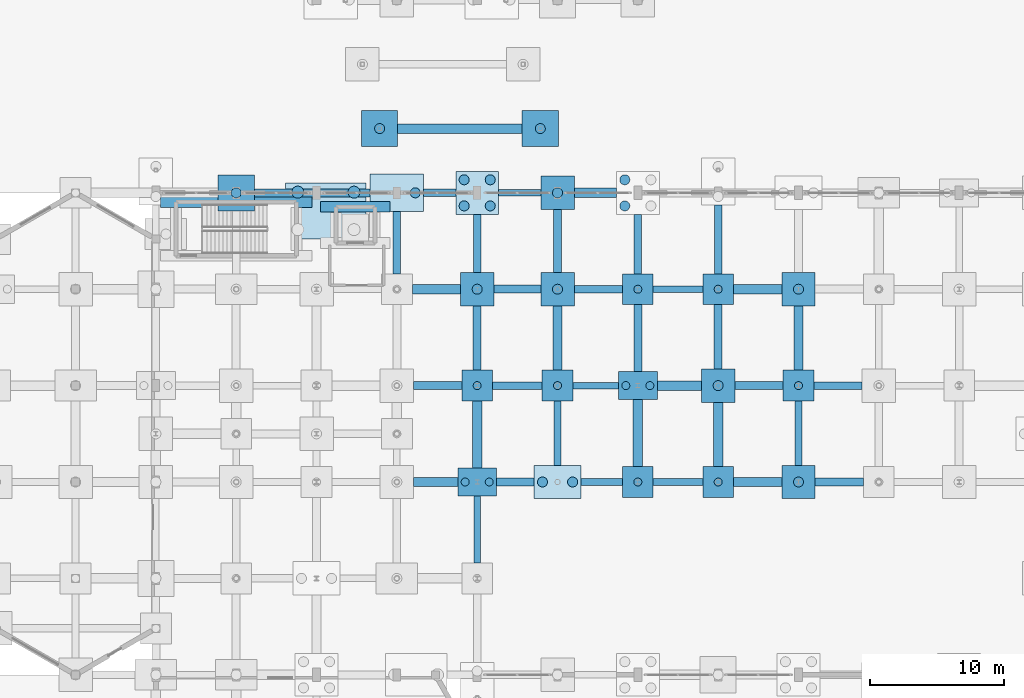
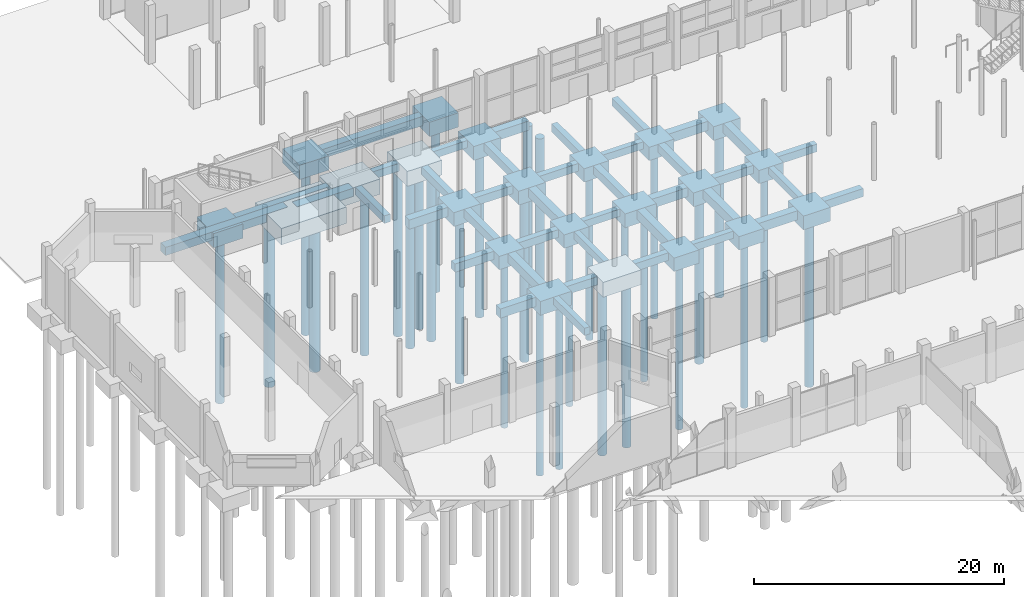
# One storey, part 5 of 103: 62 footings, 31 piles.
"""IFC4 building model written with IfcOpenShell, lengths in metres."""

from ifc_helpers import new_model, si_unit, direction, frame, origin, origin_2d, place, context, subcontext, project, spatial, rectangle, circle, extrude, material, material_profile, profile_set, type_object, element, save


model = new_model("IFC4")

# Units and contexts
model_context = context("Model", 3, precision=1e-05, world=origin(), true_north=direction((0.0, 1.0)))
body_context = subcontext(model_context, "Body", "Model", "MODEL_VIEW")
ifc_project = project(units=[si_unit("LENGTHUNIT", "METRE"), si_unit("AREAUNIT", "SQUARE_METRE"), si_unit("VOLUMEUNIT", "CUBIC_METRE"), si_unit("PLANEANGLEUNIT", "RADIAN"), si_unit("MASSUNIT", "GRAM", prefix="KILO")], contexts=[model_context])

# Site, building, storey
site_placement = place(None, origin())
site = spatial("IfcSite", under=ifc_project, at=site_placement, CompositionType="ELEMENT")
building_placement = place(site_placement, origin())
building = spatial("IfcBuilding", under=site, at=building_placement, Name="Dunvalen Ferry Terminal", CompositionType="ELEMENT")
storey_placement = place(building_placement, origin())
storey = spatial("IfcBuildingStorey", under=building, at=storey_placement, Name="L00", CompositionType="ELEMENT", Elevation=0.0)

# Footings
ifc_material = material(Name="Concrete C40/50", Category="concrete")
ifc_material_profile_1 = material_profile(ifc_material, rectangle(XDim=0.5, YDim=0.699951171875, at=origin_2d()), Name="Concrete C40/50")
ifc_profile_set_1 = profile_set([ifc_material_profile_1], Name="Concrete C40/50")
footing_type_1 = type_object("IfcFootingType", Name="STR-GB-500x700", PredefinedType="FOOTING_BEAM", material=ifc_profile_set_1)
footing_1_placement = place(storey_placement, frame((49.14990234375, 64.800048828125, -0.669921875), z_axis=(1.0, 0.0, 0.0), x_axis=(0.0, 1.0, 0.0)))
element("IfcFooting", 1, at=footing_1_placement, inside=storey, type_object=footing_type_1, Name="L00 Ground Beam X-235", PredefinedType="FOOTING_BEAM", context=body_context, shape_type="SweptSolid", body=[
    extrude(rectangle(XDim=0.5, YDim=0.699951171875, at=origin_2d()), origin(), (0.0, 0.0, 1.0), 3.7001953125),
])
footing_2_placement = place(storey_placement, frame((43.14990234375, 72.0, -0.669921875), z_axis=(1.0, 0.0, 0.0), x_axis=(0.0, 1.0, 0.0)))
element("IfcFooting", 2, at=footing_2_placement, inside=storey, type_object=footing_type_1, Name="L00 Ground Beam X-267", PredefinedType="FOOTING_BEAM", context=body_context, shape_type="SweptSolid", body=[
    extrude(rectangle(XDim=0.5, YDim=0.699951171875, at=origin_2d()), origin(), (0.0, 0.0, 1.0), 3.400146484375),
])
footing_3_placement = place(storey_placement, frame((49.14990234375, 79.199951171875, -0.669921875), z_axis=(1.0, 0.0, 0.0), x_axis=(0.0, 1.0, 0.0)))
element("IfcFooting", 3, at=footing_3_placement, inside=storey, type_object=footing_type_1, Name="L00 Ground Beam X-295", PredefinedType="FOOTING_BEAM", context=body_context, shape_type="SweptSolid", body=[
    extrude(rectangle(XDim=0.5, YDim=0.699951171875, at=origin_2d()), origin(), (0.0, 0.0, 1.0), 3.7001953125),
])
footing_4_placement = place(storey_placement, frame((37.60009765625, 86.39990234375, -0.669921875), z_axis=(1.0, 0.0, 0.0), x_axis=(0.0, 1.0, 0.0)))
element("IfcFooting", 4, at=footing_4_placement, inside=storey, type_object=footing_type_1, Name="L00 Ground Beam X-315", PredefinedType="FOOTING_BEAM", context=body_context, shape_type="SweptSolid", body=[
    extrude(rectangle(XDim=0.5, YDim=0.699951171875, at=origin_2d()), origin(), (0.0, 0.0, 1.0), 3.14990234375),
])
footing_5_placement = place(storey_placement, frame((36.0, 58.75, -0.669921875), z_axis=(0.0, 1.0, 0.0), x_axis=(-1.0, 0.0, 0.0)))
element("IfcFooting", 5, at=footing_5_placement, inside=storey, type_object=footing_type_1, Name="L00 Ground Beam Y-399", PredefinedType="FOOTING_BEAM", context=body_context, shape_type="SweptSolid", body=[
    extrude(rectangle(XDim=0.5, YDim=0.699951171875, at=origin_2d()), origin(), (0.0, 0.0, 1.0), 5.0),
])
for number, where, z_axis, x_axis, name in (
    (6, (42.0, 66.050048828125, -0.669921875), (0.0, 1.0, 0.0), (-1.0, 0.0, 0.0), "L00 Ground Beam Y-403"),
    (7, (60.0, 66.050048828125, -0.669921875), (0.0, 1.0, 0.0), (-1.0, 0.0, 0.0), "L00 Ground Beam Y-415"),
):
    element("IfcFooting", number, at=place(storey_placement, frame(where, z_axis=z_axis, x_axis=x_axis)), inside=storey, type_object=footing_type_1, Name=name, PredefinedType="FOOTING_BEAM", context=body_context, shape_type="SweptSolid", body=[
        extrude(rectangle(XDim=0.5, YDim=0.699951171875, at=origin_2d()), origin(), (0.0, 0.0, 1.0), 4.800048828125),
    ])
ifc_material_profile_2 = material_profile(ifc_material, rectangle(XDim=0.550048828125, YDim=0.75, at=origin_2d()), Name="Concrete C40/50")
ifc_profile_set_2 = profile_set([ifc_material_profile_2], Name="Concrete C40/50")
footing_type_2 = type_object("IfcFootingType", Name="STR-GB-550x750", PredefinedType="FOOTING_BEAM", material=ifc_profile_set_2)
footing_6_placement = place(storey_placement, frame((43.75, 64.800048828125, -0.695068359375), z_axis=(1.0, 0.0, 0.0), x_axis=(0.0, 1.0, 0.0)))
element("IfcFooting", 8, at=footing_6_placement, inside=storey, type_object=footing_type_2, Name="L00 Ground Beam X-234", PredefinedType="FOOTING_BEAM", context=body_context, shape_type="SweptSolid", body=[
    extrude(rectangle(XDim=0.550048828125, YDim=0.75, at=origin_2d()), origin(), (0.0, 0.0, 1.0), 3.10009765625),
])
footing_7_placement = place(storey_placement, frame((37.14990234375, 72.0, -0.695068359375), z_axis=(1.0, 0.0, 0.0), x_axis=(0.0, 1.0, 0.0)))
element("IfcFooting", 9, at=footing_7_placement, inside=storey, type_object=footing_type_2, Name="L00 Ground Beam X-266", PredefinedType="FOOTING_BEAM", context=body_context, shape_type="SweptSolid", body=[
    extrude(rectangle(XDim=0.550048828125, YDim=0.75, at=origin_2d()), origin(), (0.0, 0.0, 1.0), 3.7001953125),
])
for number, where, z_axis, x_axis, name in (
    (10, (61.14990234375, 72.0, -0.695068359375), (1.0, 0.0, 0.0), (0.0, 1.0, 0.0), "L00 Ground Beam X-270"),
    (11, (43.25, 79.199951171875, -0.695068359375), (1.0, 0.0, 0.0), (0.0, 1.0, 0.0), "L00 Ground Beam X-294"),
):
    element("IfcFooting", number, at=place(storey_placement, frame(where, z_axis=z_axis, x_axis=x_axis)), inside=storey, type_object=footing_type_2, Name=name, PredefinedType="FOOTING_BEAM", context=body_context, shape_type="SweptSolid", body=[
        extrude(rectangle(XDim=0.550048828125, YDim=0.75, at=origin_2d()), origin(), (0.0, 0.0, 1.0), 3.60009765625),
    ])
footing_8_placement = place(storey_placement, frame((32.0, 86.39990234375, -0.695068359375), z_axis=(1.0, 0.0, 0.0), x_axis=(0.0, 1.0, 0.0)))
element("IfcFooting", 12, at=footing_8_placement, inside=storey, type_object=footing_type_2, Name="L00 Ground Beam X-314", PredefinedType="FOOTING_BEAM", context=body_context, shape_type="SweptSolid", body=[
    extrude(rectangle(XDim=0.550048828125, YDim=0.75, at=origin_2d()), origin(), (0.0, 0.0, 1.0), 2.39990234375),
])
footing_9_placement = place(storey_placement, frame((30.0, 80.35009765625, -0.695068359375), z_axis=(0.0, 1.0, 0.0), x_axis=(-1.0, 0.0, 0.0)))
element("IfcFooting", 13, at=footing_9_placement, inside=storey, type_object=footing_type_2, Name="L00 Ground Beam Y-394", PredefinedType="FOOTING_BEAM", context=body_context, shape_type="SweptSolid", body=[
    extrude(rectangle(XDim=0.550048828125, YDim=0.75, at=origin_2d()), origin(), (0.0, 0.0, 1.0), 4.64990234375),
])
footing_10_placement = place(storey_placement, frame((36.0, 80.449951171875, -0.695068359375), z_axis=(0.0, 1.0, 0.0), x_axis=(-1.0, 0.0, 0.0)))
element("IfcFooting", 14, at=footing_10_placement, inside=storey, type_object=footing_type_2, Name="L00 Ground Beam Y-402", PredefinedType="FOOTING_BEAM", context=body_context, shape_type="SweptSolid", body=[
    extrude(rectangle(XDim=0.550048828125, YDim=0.75, at=origin_2d()), origin(), (0.0, 0.0, 1.0), 4.35009765625),
])
footing_11_placement = place(storey_placement, frame((48.0, 80.35009765625, -0.695068359375), z_axis=(0.0, 1.0, 0.0), x_axis=(-1.0, 0.0, 0.0)))
element("IfcFooting", 15, at=footing_11_placement, inside=storey, type_object=footing_type_2, Name="L00 Ground Beam Y-410", PredefinedType="FOOTING_BEAM", context=body_context, shape_type="SweptSolid", body=[
    extrude(rectangle(XDim=0.550048828125, YDim=0.75, at=origin_2d()), origin(), (0.0, 0.0, 1.0), 4.449951171875),
])
footing_12_placement = place(storey_placement, frame((54.0, 80.35009765625, -0.695068359375), z_axis=(0.0, 1.0, 0.0), x_axis=(-1.0, 0.0, 0.0)))
element("IfcFooting", 16, at=footing_12_placement, inside=storey, type_object=footing_type_2, Name="L00 Ground Beam Y-414", PredefinedType="FOOTING_BEAM", context=body_context, shape_type="SweptSolid", body=[
    extrude(rectangle(XDim=0.550048828125, YDim=0.75, at=origin_2d()), origin(), (0.0, 0.0, 1.0), 5.14990234375),
])
ifc_material_profile_3 = material_profile(ifc_material, rectangle(XDim=0.60009765625, YDim=0.800048828125, at=origin_2d()), Name="Concrete C40/50")
ifc_profile_set_3 = profile_set([ifc_material_profile_3], Name="Concrete C40/50")
footing_type_3 = type_object("IfcFootingType", Name="STR-GB-600x800", PredefinedType="FOOTING_BEAM", material=ifc_profile_set_3)
footing_13_placement = place(storey_placement, frame((37.449951171875, 64.800048828125, -0.719970703125), z_axis=(1.0, 0.0, 0.0), x_axis=(0.0, 1.0, 0.0)))
element("IfcFooting", 17, at=footing_13_placement, inside=storey, type_object=footing_type_3, Name="L00 Ground Beam X-233", PredefinedType="FOOTING_BEAM", context=body_context, shape_type="SweptSolid", body=[
    extrude(rectangle(XDim=0.60009765625, YDim=0.800048828125, at=origin_2d()), origin(), (0.0, 0.0, 1.0), 2.800048828125),
])
for number, where, z_axis, x_axis, name in (
    (18, (61.25, 64.800048828125, -0.719970703125), (1.0, 0.0, 0.0), (0.0, 1.0, 0.0), "L00 Ground Beam X-237"),
    (19, (31.25, 72.0, -0.719970703125), (1.0, 0.0, 0.0), (0.0, 1.0, 0.0), "L00 Ground Beam X-265"),
    (20, (55.25, 72.0, -0.719970703125), (1.0, 0.0, 0.0), (0.0, 1.0, 0.0), "L00 Ground Beam X-269"),
):
    element("IfcFooting", number, at=place(storey_placement, frame(where, z_axis=z_axis, x_axis=x_axis)), inside=storey, type_object=footing_type_3, Name=name, PredefinedType="FOOTING_BEAM", context=body_context, shape_type="SweptSolid", body=[
        extrude(rectangle(XDim=0.60009765625, YDim=0.800048828125, at=origin_2d()), origin(), (0.0, 0.0, 1.0), 3.60009765625),
    ])
footing_14_placement = place(storey_placement, frame((37.25, 79.199951171875, -0.719970703125), z_axis=(1.0, 0.0, 0.0), x_axis=(0.0, 1.0, 0.0)))
element("IfcFooting", 21, at=footing_14_placement, inside=storey, type_object=footing_type_3, Name="L00 Ground Beam X-293", PredefinedType="FOOTING_BEAM", context=body_context, shape_type="SweptSolid", body=[
    extrude(rectangle(XDim=0.60009765625, YDim=0.800048828125, at=origin_2d()), origin(), (0.0, 0.0, 1.0), 3.5),
])
footing_15_placement = place(storey_placement, frame((19.35009765625, 86.39990234375, -0.719970703125), z_axis=(1.0, 0.0, 0.0), x_axis=(0.0, 1.0, 0.0)))
element("IfcFooting", 22, at=footing_15_placement, inside=storey, type_object=footing_type_3, Name="L00 Ground Beam X-313", PredefinedType="FOOTING_BEAM", context=body_context, shape_type="SweptSolid", body=[
    extrude(rectangle(XDim=0.60009765625, YDim=0.800048828125, at=origin_2d()), origin(), (0.0, 0.0, 1.0), 8.64990234375),
])
footing_16_placement = place(storey_placement, frame((36.0, 73.14990234375, -0.719970703125), z_axis=(0.0, 1.0, 0.0), x_axis=(-1.0, 0.0, 0.0)))
element("IfcFooting", 23, at=footing_16_placement, inside=storey, type_object=footing_type_3, Name="L00 Ground Beam Y-401", PredefinedType="FOOTING_BEAM", context=body_context, shape_type="SweptSolid", body=[
    extrude(rectangle(XDim=0.60009765625, YDim=0.800048828125, at=origin_2d()), origin(), (0.0, 0.0, 1.0), 4.800048828125),
])
footing_17_placement = place(storey_placement, frame((42.0, 80.449951171875, -0.719970703125), z_axis=(0.0, 1.0, 0.0), x_axis=(-1.0, 0.0, 0.0)))
element("IfcFooting", 24, at=footing_17_placement, inside=storey, type_object=footing_type_3, Name="L00 Ground Beam Y-405", PredefinedType="FOOTING_BEAM", context=body_context, shape_type="SweptSolid", body=[
    extrude(rectangle(XDim=0.60009765625, YDim=0.800048828125, at=origin_2d()), origin(), (0.0, 0.0, 1.0), 4.699951171875),
])
footing_18_placement = place(storey_placement, frame((48.0, 73.050048828125, -0.719970703125), z_axis=(0.0, 1.0, 0.0), x_axis=(-1.0, 0.0, 0.0)))
element("IfcFooting", 25, at=footing_18_placement, inside=storey, type_object=footing_type_3, Name="L00 Ground Beam Y-409", PredefinedType="FOOTING_BEAM", context=body_context, shape_type="SweptSolid", body=[
    extrude(rectangle(XDim=0.60009765625, YDim=0.800048828125, at=origin_2d()), origin(), (0.0, 0.0, 1.0), 5.0),
])
footing_19_placement = place(storey_placement, frame((54.0, 73.25, -0.719970703125), z_axis=(0.0, 1.0, 0.0), x_axis=(-1.0, 0.0, 0.0)))
element("IfcFooting", 26, at=footing_19_placement, inside=storey, type_object=footing_type_3, Name="L00 Ground Beam Y-413", PredefinedType="FOOTING_BEAM", context=body_context, shape_type="SweptSolid", body=[
    extrude(rectangle(XDim=0.60009765625, YDim=0.800048828125, at=origin_2d()), origin(), (0.0, 0.0, 1.0), 4.800048828125),
])
ifc_material_profile_4 = material_profile(ifc_material, rectangle(XDim=0.699951171875, YDim=0.89990234375, at=origin_2d()), Name="Concrete C40/50")
ifc_profile_set_4 = profile_set([ifc_material_profile_4], Name="Concrete C40/50")
footing_type_4 = type_object("IfcFootingType", Name="STR-GB-700x900", PredefinedType="FOOTING_BEAM", material=ifc_profile_set_4)
footing_20_placement = place(storey_placement, frame((31.25, 64.800048828125, -0.77001953125), z_axis=(1.0, 0.0, 0.0), x_axis=(0.0, 1.0, 0.0)))
element("IfcFooting", 27, at=footing_20_placement, inside=storey, type_object=footing_type_4, Name="L00 Ground Beam X-232", PredefinedType="FOOTING_BEAM", context=body_context, shape_type="SweptSolid", body=[
    extrude(rectangle(XDim=0.699951171875, YDim=0.89990234375, at=origin_2d()), origin(), (0.0, 0.0, 1.0), 3.300048828125),
])
footing_21_placement = place(storey_placement, frame((55.14990234375, 64.800048828125, -0.77001953125), z_axis=(1.0, 0.0, 0.0), x_axis=(0.0, 1.0, 0.0)))
element("IfcFooting", 28, at=footing_21_placement, inside=storey, type_object=footing_type_4, Name="L00 Ground Beam X-236", PredefinedType="FOOTING_BEAM", context=body_context, shape_type="SweptSolid", body=[
    extrude(rectangle(XDim=0.699951171875, YDim=0.89990234375, at=origin_2d()), origin(), (0.0, 0.0, 1.0), 3.60009765625),
])
footing_22_placement = place(storey_placement, frame((49.449951171875, 72.0, -0.77001953125), z_axis=(1.0, 0.0, 0.0), x_axis=(0.0, 1.0, 0.0)))
element("IfcFooting", 29, at=footing_22_placement, inside=storey, type_object=footing_type_4, Name="L00 Ground Beam X-268", PredefinedType="FOOTING_BEAM", context=body_context, shape_type="SweptSolid", body=[
    extrude(rectangle(XDim=0.699951171875, YDim=0.89990234375, at=origin_2d()), origin(), (0.0, 0.0, 1.0), 3.300048828125),
])
for number, where, z_axis, x_axis, name in (
    (30, (31.14990234375, 79.199951171875, -0.77001953125), (1.0, 0.0, 0.0), (0.0, 1.0, 0.0), "L00 Ground Beam X-292"),
    (31, (55.14990234375, 79.199951171875, -0.77001953125), (1.0, 0.0, 0.0), (0.0, 1.0, 0.0), "L00 Ground Beam X-296"),
):
    element("IfcFooting", number, at=place(storey_placement, frame(where, z_axis=z_axis, x_axis=x_axis)), inside=storey, type_object=footing_type_4, Name=name, PredefinedType="FOOTING_BEAM", context=body_context, shape_type="SweptSolid", body=[
        extrude(rectangle(XDim=0.699951171875, YDim=0.89990234375, at=origin_2d()), origin(), (0.0, 0.0, 1.0), 3.60009765625),
    ])
footing_23_placement = place(storey_placement, frame((43.25, 86.39990234375, -0.77001953125), z_axis=(1.0, 0.0, 0.0), x_axis=(0.0, 1.0, 0.0)))
element("IfcFooting", 32, at=footing_23_placement, inside=storey, type_object=footing_type_4, Name="L00 Ground Beam X-316", PredefinedType="FOOTING_BEAM", context=body_context, shape_type="SweptSolid", body=[
    extrude(rectangle(XDim=0.699951171875, YDim=0.89990234375, at=origin_2d()), origin(), (0.0, 0.0, 1.0), 3.14990234375),
])
footing_24_placement = place(storey_placement, frame((30.063720703125, 91.199951171875, -0.77001953125), z_axis=(1.0, 0.0, 0.0), x_axis=(0.0, 1.0, 0.0)))
element("IfcFooting", 33, at=footing_24_placement, inside=storey, type_object=footing_type_4, Name="L00 Ground Beam X-332", PredefinedType="FOOTING_BEAM", context=body_context, shape_type="SweptSolid", body=[
    extrude(rectangle(XDim=0.699951171875, YDim=0.89990234375, at=origin_2d()), origin(), (0.0, 0.0, 1.0), 9.300048828125),
])
footing_25_placement = place(storey_placement, frame((36.0, 65.85009765625, -0.77001953125), z_axis=(0.0, 1.0, 0.0), x_axis=(-1.0, 0.0, 0.0)))
element("IfcFooting", 34, at=footing_25_placement, inside=storey, type_object=footing_type_4, Name="L00 Ground Beam Y-400", PredefinedType="FOOTING_BEAM", context=body_context, shape_type="SweptSolid", body=[
    extrude(rectangle(XDim=0.699951171875, YDim=0.89990234375, at=origin_2d()), origin(), (0.0, 0.0, 1.0), 5.0),
])
footing_26_placement = place(storey_placement, frame((42.0, 73.14990234375, -0.77001953125), z_axis=(0.0, 1.0, 0.0), x_axis=(-1.0, 0.0, 0.0)))
element("IfcFooting", 35, at=footing_26_placement, inside=storey, type_object=footing_type_4, Name="L00 Ground Beam Y-404", PredefinedType="FOOTING_BEAM", context=body_context, shape_type="SweptSolid", body=[
    extrude(rectangle(XDim=0.699951171875, YDim=0.89990234375, at=origin_2d()), origin(), (0.0, 0.0, 1.0), 4.800048828125),
])
footing_27_placement = place(storey_placement, frame((48.0, 65.949951171875, -0.77001953125), z_axis=(0.0, 1.0, 0.0), x_axis=(-1.0, 0.0, 0.0)))
element("IfcFooting", 36, at=footing_27_placement, inside=storey, type_object=footing_type_4, Name="L00 Ground Beam Y-408", PredefinedType="FOOTING_BEAM", context=body_context, shape_type="SweptSolid", body=[
    extrude(rectangle(XDim=0.699951171875, YDim=0.89990234375, at=origin_2d()), origin(), (0.0, 0.0, 1.0), 5.0),
])
for number, where, z_axis, x_axis, name in (
    (37, (54.0, 65.949951171875, -0.77001953125), (0.0, 1.0, 0.0), (-1.0, 0.0, 0.0), "L00 Ground Beam Y-412"),
    (38, (60.0, 73.14990234375, -0.77001953125), (0.0, 1.0, 0.0), (-1.0, 0.0, 0.0), "L00 Ground Beam Y-416"),
):
    element("IfcFooting", number, at=place(storey_placement, frame(where, z_axis=z_axis, x_axis=x_axis)), inside=storey, type_object=footing_type_4, Name=name, PredefinedType="FOOTING_BEAM", context=body_context, shape_type="SweptSolid", body=[
        extrude(rectangle(XDim=0.699951171875, YDim=0.89990234375, at=origin_2d()), origin(), (0.0, 0.0, 1.0), 4.800048828125),
    ])
footing_type_5 = type_object("IfcFootingType", Name="STR-PC-04", PredefinedType="PILE_CAP", material=ifc_material)
for number, where, z_axis, x_axis, name in (
    (39, (36.0, 72.0, -1.6201171875), (0.0, 0.0, 1.0), (1.0, 0.0, 0.0), "L00 Pile Cap 062"),
    (40, (42.0, 72.0, -1.6201171875), (0.0, 0.0, 1.0), (1.0, 0.0, 0.0), "L00 Pile Cap 071"),
    (41, (48.0, 64.800048828125, -1.6201171875), (0.0, 0.0, 1.0), (1.0, 0.0, 0.0), "L00 Pile Cap 079"),
    (42, (48.0, 79.199951171875, -1.6201171875), (0.0, 0.0, 1.0), (1.0, 0.0, 0.0), "L00 Pile Cap 081"),
    (43, (54.0, 64.800048828125, -1.6201171875), (0.0, 0.0, 1.0), (1.0, 0.0, 0.0), "L00 Pile Cap 086"),
    (44, (54.0, 79.199951171875, -1.6201171875), (0.0, 0.0, 1.0), (1.0, 0.0, 0.0), "L00 Pile Cap 088"),
    (45, (60.0, 72.0, -1.6201171875), (0.0, 0.0, 1.0), (1.0, 0.0, 0.0), "L00 Pile Cap 092"),
):
    element("IfcFooting", number, at=place(storey_placement, frame(where, z_axis=z_axis, x_axis=x_axis)), inside=storey, type_object=footing_type_5, Name=name, PredefinedType="PILE_CAP", context=body_context, shape_type="SweptSolid", body=[
        extrude(rectangle(XDim=2.300048828125, YDim=2.300048828125, at=origin_2d()), origin(), (0.0, 0.0, 1.0), 1.300048828125),
    ])
footing_type_6 = type_object("IfcFootingType", Name="STR-PC-05", PredefinedType="PILE_CAP", material=ifc_material)
for number, where, z_axis, x_axis, name in (
    (46, (36.0, 79.199951171875, -1.670166015625), (0.0, 0.0, 1.0), (1.0, 0.0, 0.0), "L00 Pile Cap 063"),
    (47, (42.0, 79.199951171875, -1.670166015625), (0.0, 0.0, 1.0), (1.0, 0.0, 0.0), "L00 Pile Cap 072"),
    (48, (42.0, 86.39990234375, -1.670166015625), (0.0, 0.0, 1.0), (1.0, 0.0, 0.0), "L00 Pile Cap 073"),
    (49, (54.0, 72.0, -1.670166015625), (0.0, 0.0, 1.0), (1.0, 0.0, 0.0), "L00 Pile Cap 087"),
    (50, (60.0, 64.800048828125, -1.670166015625), (0.0, 0.0, 1.0), (1.0, 0.0, 0.0), "L00 Pile Cap 091"),
    (51, (60.0, 79.199951171875, -1.670166015625), (0.0, 0.0, 1.0), (1.0, 0.0, 0.0), "L00 Pile Cap 093"),
):
    element("IfcFooting", number, at=place(storey_placement, frame(where, z_axis=z_axis, x_axis=x_axis)), inside=storey, type_object=footing_type_6, Name=name, PredefinedType="PILE_CAP", context=body_context, shape_type="SweptSolid", body=[
        extrude(rectangle(XDim=2.5, YDim=2.5, at=origin_2d()), origin(), (0.0, 0.0, 1.0), 1.35009765625),
    ])
footing_type_7 = type_object("IfcFootingType", Name="STR-PC-06", PredefinedType="PILE_CAP", material=ifc_material)
for number, where, z_axis, x_axis, name in (
    (52, (18.0, 86.39990234375, -1.719970703125), (0.0, 0.0, 1.0), (1.0, 0.0, 0.0), "L00 Pile Cap 031"),
    (53, (28.7138671875, 91.199951171875, -1.719970703125), (0.0, 0.0, 1.0), (1.0, 0.0, 0.0), "L00 Pile Cap 044"),
    (54, (40.7138671875, 91.199951171875, -1.719970703125), (0.0, 0.0, 1.0), (1.0, 0.0, 0.0), "L00 Pile Cap 068"),
):
    element("IfcFooting", number, at=place(storey_placement, frame(where, z_axis=z_axis, x_axis=x_axis)), inside=storey, type_object=footing_type_7, Name=name, PredefinedType="PILE_CAP", context=body_context, shape_type="SweptSolid", body=[
        extrude(rectangle(XDim=2.699951171875, YDim=2.699951171875, at=origin_2d()), origin(), (0.0, 0.0, 1.0), 1.39990234375),
    ])
footing_type_8 = type_object("IfcFootingType", Name="STR-PC-07", PredefinedType="PILE_CAP", material=ifc_material)
for number, where, z_axis, x_axis, name in (
    (55, (36.0, 64.800048828125, -1.670166015625), (0.0, 0.0, 1.0), (1.0, 0.0, 0.0), "L00 Pile Cap 061"),
    (56, (48.0, 72.0, -1.670166015625), (0.0, 0.0, 1.0), (1.0, 0.0, 0.0), "L00 Pile Cap 080"),
):
    element("IfcFooting", number, at=place(storey_placement, frame(where, z_axis=z_axis, x_axis=x_axis)), inside=storey, type_object=footing_type_8, Name=name, PredefinedType="PILE_CAP", context=body_context, shape_type="SweptSolid", body=[
        extrude(rectangle(XDim=2.89990234375, YDim=2.10009765625, at=origin_2d()), origin(), (0.0, 0.0, 1.0), 1.35009765625),
    ])
footing_type_9 = type_object("IfcFootingType", Name="STR-PC-09", PredefinedType="PILE_CAP", material=ifc_material)
footing_28_placement = place(storey_placement, frame((36.0, 86.39990234375, -1.77001953125), z_axis=(0.0, 0.0, 1.0), x_axis=(1.0, 0.0, 0.0)))
element("IfcFooting", 57, at=footing_28_placement, inside=storey, type_object=footing_type_9, Name="L00 Pile Cap 064", PredefinedType="PILE_CAP", context=body_context, shape_type="SweptSolid", body=[
    extrude(rectangle(XDim=3.199951171875, YDim=3.199951171875, at=origin_2d()), origin(), (0.0, 0.0, 1.0), 1.449951171875),
])
footing_type_10 = type_object("IfcFootingType", Name="STR-PC-10", PredefinedType="PILE_CAP", material=ifc_material)
footing_29_placement = place(storey_placement, frame((42.0, 64.800048828125, -1.77001953125), z_axis=(0.0, 0.0, 1.0), x_axis=(1.0, 0.0, 0.0)))
element("IfcFooting", 58, at=footing_29_placement, inside=storey, type_object=footing_type_10, Name="L00 Pile Cap 070", PredefinedType="PILE_CAP", context=body_context, shape_type="SweptSolid", body=[
    extrude(rectangle(XDim=3.5, YDim=2.5, at=origin_2d()), origin(), (0.0, 0.0, 1.0), 1.449951171875),
])
footing_type_11 = type_object("IfcFootingType", Name="STR-PC-12", PredefinedType="PILE_CAP", material=ifc_material)
footing_30_placement = place(storey_placement, frame((30.0, 86.39990234375, -1.820068359375), z_axis=(0.0, 0.0, 1.0), x_axis=(1.0, 0.0, 0.0)))
element("IfcFooting", 59, at=footing_30_placement, inside=storey, type_object=footing_type_11, Name="L00 Pile Cap 052", PredefinedType="PILE_CAP", context=body_context, shape_type="SweptSolid", body=[
    extrude(rectangle(XDim=4.0, YDim=2.800048828125, at=origin_2d()), origin(), (0.0, 0.0, 1.0), 1.5),
])
footing_type_12 = type_object("IfcFootingType", Name="STR-PC-16", PredefinedType="PILE_CAP", material=ifc_material)
footing_31_placement = place(storey_placement, frame((24.699951171875, 85.050048828125, -1.920166015625), z_axis=(0.0, 0.0, 1.0), x_axis=(1.0, 0.0, 0.0)))
element("IfcFooting", 60, at=footing_31_placement, inside=storey, type_object=footing_type_12, Name="L00 Pile Cap 032", PredefinedType="PILE_CAP", context=body_context, shape_type="SweptSolid", body=[
    extrude(rectangle(XDim=6.0, YDim=4.199951171875, at=origin_2d()), origin(), (0.0, 0.0, 1.0), 1.60009765625),
])

# Piles
ifc_material_profile_5 = material_profile(ifc_material, circle(Radius=0.300048828125, at=origin_2d()), Name="Concrete C40/50")
ifc_profile_set_5 = profile_set([ifc_material_profile_5], Name="Concrete C40/50")
pile_type_1 = type_object("IfcPileType", Name="STR-PILE-P600", PredefinedType="BORED", material=ifc_profile_set_5)
for number, where, z_axis, x_axis, name in (
    (61, (35.10009765625, 64.800048828125, -1.570068359375), (0.0, 0.0, -1.0), (1.0, 0.0, 0.0), "L00 Bored Pile 061.1"),
    (62, (36.89990234375, 64.800048828125, -1.570068359375), (0.0, 0.0, -1.0), (1.0, 0.0, 0.0), "L00 Bored Pile 061.2"),
):
    element("IfcPile", number, at=place(storey_placement, frame(where, z_axis=z_axis, x_axis=x_axis)), inside=storey, type_object=pile_type_1, Name=name, PredefinedType="BORED", context=body_context, shape_type="SweptSolid", body=[
        extrude(circle(Radius=0.300048828125, at=origin_2d()), origin(), (0.0, 0.0, 1.0), 16.429931640625),
    ])
for number, where, z_axis, x_axis, name in (
    (63, (36.0, 72.0, -1.52001953125), (0.0, 0.0, -1.0), (1.0, 0.0, 0.0), "L00 Bored Pile 062.1"),
    (64, (42.0, 72.0, -1.52001953125), (0.0, 0.0, -1.0), (1.0, 0.0, 0.0), "L00 Bored Pile 071.1"),
    (65, (48.0, 64.800048828125, -1.52001953125), (0.0, 0.0, -1.0), (1.0, 0.0, 0.0), "L00 Bored Pile 079.1"),
):
    element("IfcPile", number, at=place(storey_placement, frame(where, z_axis=z_axis, x_axis=x_axis)), inside=storey, type_object=pile_type_1, Name=name, PredefinedType="BORED", context=body_context, shape_type="SweptSolid", body=[
        extrude(circle(Radius=0.300048828125, at=origin_2d()), origin(), (0.0, 0.0, 1.0), 16.47998046875),
    ])
for number, where, z_axis, x_axis, name in (
    (66, (47.10009765625, 72.0, -1.570068359375), (0.0, 0.0, -1.0), (1.0, 0.0, 0.0), "L00 Bored Pile 080.1"),
    (67, (48.89990234375, 72.0, -1.570068359375), (0.0, 0.0, -1.0), (1.0, 0.0, 0.0), "L00 Bored Pile 080.2"),
):
    element("IfcPile", number, at=place(storey_placement, frame(where, z_axis=z_axis, x_axis=x_axis)), inside=storey, type_object=pile_type_1, Name=name, PredefinedType="BORED", context=body_context, shape_type="SweptSolid", body=[
        extrude(circle(Radius=0.300048828125, at=origin_2d()), origin(), (0.0, 0.0, 1.0), 16.429931640625),
    ])
for number, where, z_axis, x_axis, name in (
    (68, (48.0, 79.199951171875, -1.52001953125), (0.0, 0.0, -1.0), (1.0, 0.0, 0.0), "L00 Bored Pile 081.1"),
    (69, (54.0, 64.800048828125, -1.52001953125), (0.0, 0.0, -1.0), (1.0, 0.0, 0.0), "L00 Bored Pile 086.1"),
    (70, (54.0, 79.199951171875, -1.52001953125), (0.0, 0.0, -1.0), (1.0, 0.0, 0.0), "L00 Bored Pile 088.1"),
    (71, (60.0, 72.0, -1.52001953125), (0.0, 0.0, -1.0), (1.0, 0.0, 0.0), "L00 Bored Pile 092.1"),
):
    element("IfcPile", number, at=place(storey_placement, frame(where, z_axis=z_axis, x_axis=x_axis)), inside=storey, type_object=pile_type_1, Name=name, PredefinedType="BORED", context=body_context, shape_type="SweptSolid", body=[
        extrude(circle(Radius=0.300048828125, at=origin_2d()), origin(), (0.0, 0.0, 1.0), 16.47998046875),
    ])
ifc_material_profile_6 = material_profile(ifc_material, circle(Radius=0.375, at=origin_2d()), Name="Concrete C40/50")
ifc_profile_set_6 = profile_set([ifc_material_profile_6], Name="Concrete C40/50")
pile_type_2 = type_object("IfcPileType", Name="STR-PILE-P750", PredefinedType="BORED", material=ifc_profile_set_6)
for number, where, z_axis, x_axis, name in (
    (72, (18.0, 86.39990234375, -1.6201171875), (0.0, 0.0, -1.0), (1.0, 0.0, 0.0), "L00 Bored Pile 031.1"),
    (73, (28.7138671875, 91.199951171875, -1.6201171875), (0.0, 0.0, -1.0), (1.0, 0.0, 0.0), "L00 Bored Pile 044.1"),
):
    element("IfcPile", number, at=place(storey_placement, frame(where, z_axis=z_axis, x_axis=x_axis)), inside=storey, type_object=pile_type_2, Name=name, PredefinedType="BORED", context=body_context, shape_type="SweptSolid", body=[
        extrude(circle(Radius=0.375, at=origin_2d()), origin(), (0.0, 0.0, 1.0), 16.3798828125),
    ])
pile_1_placement = place(storey_placement, frame((31.375, 86.39990234375, -1.719970703125), z_axis=(0.0, 0.0, -1.0), x_axis=(1.0, 0.0, 0.0)))
element("IfcPile", 74, at=pile_1_placement, inside=storey, type_object=pile_type_2, Name="L00 Bored Pile 052.1", PredefinedType="BORED", context=body_context, shape_type="SweptSolid", body=[
    extrude(circle(Radius=0.375, at=origin_2d()), origin(), (0.0, 0.0, 1.0), 16.280029296875),
])
pile_2_placement = place(storey_placement, frame((36.0, 79.199951171875, -1.570068359375), z_axis=(0.0, 0.0, -1.0), x_axis=(1.0, 0.0, 0.0)))
element("IfcPile", 75, at=pile_2_placement, inside=storey, type_object=pile_type_2, Name="L00 Bored Pile 063.1", PredefinedType="BORED", context=body_context, shape_type="SweptSolid", body=[
    extrude(circle(Radius=0.375, at=origin_2d()), origin(), (0.0, 0.0, 1.0), 16.429931640625),
])
for number, where, z_axis, x_axis, name in (
    (76, (35.02490234375, 85.425048828125, -1.669921875), (0.0, 0.0, -1.0), (1.0, 0.0, 0.0), "L00 Bored Pile 064.1"),
    (77, (36.97509765625, 85.425048828125, -1.669921875), (0.0, 0.0, -1.0), (1.0, 0.0, 0.0), "L00 Bored Pile 064.2"),
    (78, (35.02490234375, 87.375, -1.669921875), (0.0, 0.0, -1.0), (1.0, 0.0, 0.0), "L00 Bored Pile 064.3"),
    (79, (36.97509765625, 87.375, -1.669921875), (0.0, 0.0, -1.0), (1.0, 0.0, 0.0), "L00 Bored Pile 064.4"),
):
    element("IfcPile", number, at=place(storey_placement, frame(where, z_axis=z_axis, x_axis=x_axis)), inside=storey, type_object=pile_type_2, Name=name, PredefinedType="BORED", context=body_context, shape_type="SweptSolid", body=[
        extrude(circle(Radius=0.375, at=origin_2d()), origin(), (0.0, 0.0, 1.0), 16.330078125),
    ])
pile_3_placement = place(storey_placement, frame((40.7138671875, 91.199951171875, -1.6201171875), z_axis=(0.0, 0.0, -1.0), x_axis=(1.0, 0.0, 0.0)))
element("IfcPile", 80, at=pile_3_placement, inside=storey, type_object=pile_type_2, Name="L00 Bored Pile 068.1", PredefinedType="BORED", context=body_context, shape_type="SweptSolid", body=[
    extrude(circle(Radius=0.375, at=origin_2d()), origin(), (0.0, 0.0, 1.0), 16.3798828125),
])
for number, where, z_axis, x_axis, name in (
    (81, (40.875, 64.800048828125, -1.669921875), (0.0, 0.0, -1.0), (1.0, 0.0, 0.0), "L00 Bored Pile 070.1"),
    (82, (43.125, 64.800048828125, -1.669921875), (0.0, 0.0, -1.0), (1.0, 0.0, 0.0), "L00 Bored Pile 070.2"),
):
    element("IfcPile", number, at=place(storey_placement, frame(where, z_axis=z_axis, x_axis=x_axis)), inside=storey, type_object=pile_type_2, Name=name, PredefinedType="BORED", context=body_context, shape_type="SweptSolid", body=[
        extrude(circle(Radius=0.375, at=origin_2d()), origin(), (0.0, 0.0, 1.0), 16.330078125),
    ])
for number, where, z_axis, x_axis, name in (
    (83, (42.0, 79.199951171875, -1.570068359375), (0.0, 0.0, -1.0), (1.0, 0.0, 0.0), "L00 Bored Pile 072.1"),
    (84, (42.0, 86.39990234375, -1.570068359375), (0.0, 0.0, -1.0), (1.0, 0.0, 0.0), "L00 Bored Pile 073.1"),
):
    element("IfcPile", number, at=place(storey_placement, frame(where, z_axis=z_axis, x_axis=x_axis)), inside=storey, type_object=pile_type_2, Name=name, PredefinedType="BORED", context=body_context, shape_type="SweptSolid", body=[
        extrude(circle(Radius=0.375, at=origin_2d()), origin(), (0.0, 0.0, 1.0), 16.429931640625),
    ])
for number, where, z_axis, x_axis, name in (
    (85, (47.02490234375, 85.425048828125, -1.669921875), (0.0, 0.0, -1.0), (1.0, 0.0, 0.0), "L00 Bored Pile 082.1"),
    (86, (47.02490234375, 87.375, -1.669921875), (0.0, 0.0, -1.0), (1.0, 0.0, 0.0), "L00 Bored Pile 082.3"),
):
    element("IfcPile", number, at=place(storey_placement, frame(where, z_axis=z_axis, x_axis=x_axis)), inside=storey, type_object=pile_type_2, Name=name, PredefinedType="BORED", context=body_context, shape_type="SweptSolid", body=[
        extrude(circle(Radius=0.375, at=origin_2d()), origin(), (0.0, 0.0, 1.0), 16.330078125),
    ])
for number, where, z_axis, x_axis, name in (
    (87, (54.0, 72.0, -1.570068359375), (0.0, 0.0, -1.0), (1.0, 0.0, 0.0), "L00 Bored Pile 087.1"),
    (88, (60.0, 64.800048828125, -1.570068359375), (0.0, 0.0, -1.0), (1.0, 0.0, 0.0), "L00 Bored Pile 091.1"),
    (89, (60.0, 79.199951171875, -1.570068359375), (0.0, 0.0, -1.0), (1.0, 0.0, 0.0), "L00 Bored Pile 093.1"),
):
    element("IfcPile", number, at=place(storey_placement, frame(where, z_axis=z_axis, x_axis=x_axis)), inside=storey, type_object=pile_type_2, Name=name, PredefinedType="BORED", context=body_context, shape_type="SweptSolid", body=[
        extrude(circle(Radius=0.375, at=origin_2d()), origin(), (0.0, 0.0, 1.0), 16.429931640625),
    ])
ifc_material_profile_7 = material_profile(ifc_material, circle(Radius=0.449951171875, at=origin_2d()), Name="Concrete C40/50")
ifc_profile_set_7 = profile_set([ifc_material_profile_7], Name="Concrete C40/50")
pile_type_3 = type_object("IfcPileType", Name="STR-PILE-P900", PredefinedType="BORED", material=ifc_profile_set_7)
for number, where, z_axis, x_axis, name in (
    (90, (22.60009765625, 86.449951171875, -1.820068359375), (0.0, 0.0, -1.0), (1.0, 0.0, 0.0), "L00 Bored Pile 032.3"),
    (91, (26.800048828125, 86.449951171875, -1.820068359375), (0.0, 0.0, -1.0), (1.0, 0.0, 0.0), "L00 Bored Pile 032.4"),
):
    element("IfcPile", number, at=place(storey_placement, frame(where, z_axis=z_axis, x_axis=x_axis)), inside=storey, type_object=pile_type_3, Name=name, PredefinedType="BORED", context=body_context, shape_type="SweptSolid", body=[
        extrude(circle(Radius=0.449951171875, at=origin_2d()), origin(), (0.0, 0.0, 1.0), 16.179931640625),
    ])

# Footings
ifc_material_profile_8 = material_profile(ifc_material, rectangle(XDim=0.800048828125, YDim=0.800048828125, at=origin_2d()), Name="Concrete C40/50")
ifc_profile_set_8 = profile_set([ifc_material_profile_8], Name="Concrete C40/50")
footing_type_13 = type_object("IfcFootingType", Name="STR-SF-800x800", PredefinedType="STRIP_FOOTING", material=ifc_profile_set_8)
footing_32_placement = place(storey_placement, frame((12.35009765625, 85.699951171875, -0.719970703125), z_axis=(1.0, 0.0, 0.0), x_axis=(0.0, 1.0, 0.0)))
element("IfcFooting", 92, at=footing_32_placement, inside=storey, type_object=footing_type_13, Name="L00 ST7 Core North Strip Footing", PredefinedType="STRIP_FOOTING", context=body_context, shape_type="SweptSolid", body=[
    extrude(rectangle(XDim=0.800048828125, YDim=0.800048828125, at=origin_2d()), origin(), (0.0, 0.0, 1.0), 11.2998046875),
])
footing_33_placement = place(storey_placement, frame((24.300048828125, 85.35009765625, -0.719970703125), z_axis=(1.0, 0.0, 0.0), x_axis=(0.0, 1.0, 0.0)))
element("IfcFooting", 93, at=footing_33_placement, inside=storey, type_object=footing_type_13, Name="L00 LP-01 Shaft N Strip Footing", PredefinedType="STRIP_FOOTING", context=body_context, shape_type="SweptSolid", body=[
    extrude(rectangle(XDim=0.800048828125, YDim=0.800048828125, at=origin_2d()), origin(), (0.0, 0.0, 1.0), 5.199951171875),
])

save(model, "model.ifc")
